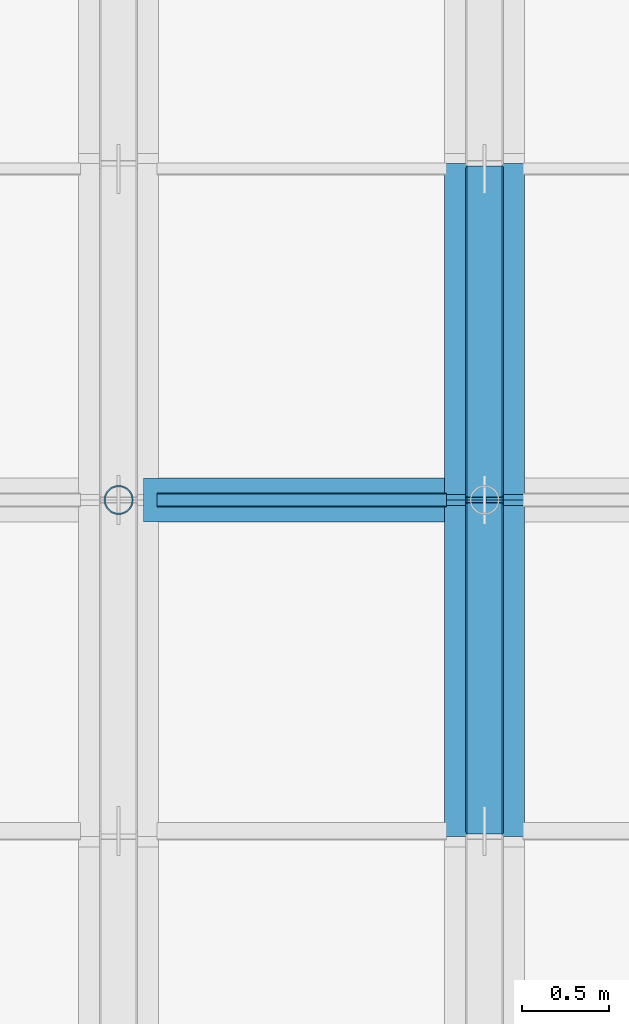
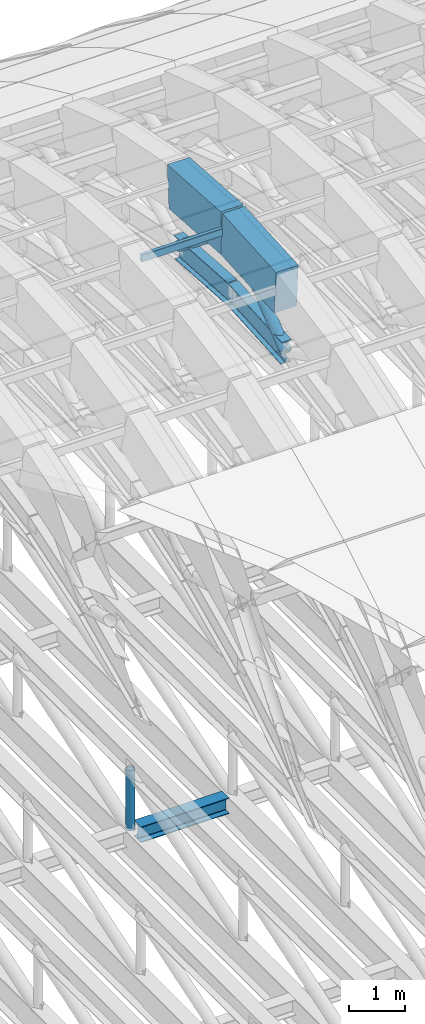
# One storey, part 22 of 67: 5 beams, 4 members.
"""IFC4 building model written with IfcOpenShell, lengths in metres."""

from ifc_helpers import new_model, si_unit, direction, frame, origin, origin_2d, place, context, subcontext, project, spatial, rectangle, hollow_rectangle, hollow_circle, i_section, extrude, material, material_profile, profile_set, type_object, element, save


model = new_model("IFC4")

# Units and contexts
model_context = context("Model", 3, precision=1e-05, world=origin(), true_north=direction((0.0, 1.0)))
body_context = subcontext(model_context, "Body", "Model", "MODEL_VIEW")
ifc_project = project(units=[si_unit("LENGTHUNIT", "METRE"), si_unit("AREAUNIT", "SQUARE_METRE"), si_unit("VOLUMEUNIT", "CUBIC_METRE"), si_unit("PLANEANGLEUNIT", "RADIAN"), si_unit("MASSUNIT", "GRAM", prefix="KILO")], contexts=[model_context])

# Site, building, storey
site_placement = place(None, origin())
site = spatial("IfcSite", under=ifc_project, at=site_placement, CompositionType="ELEMENT")
building_placement = place(site_placement, origin())
building = spatial("IfcBuilding", under=site, at=building_placement, Name="Shengluoqiao Park Theatre", CompositionType="ELEMENT")
storey_placement = place(building_placement, frame((0.0, 0.0, 28.60009765625)))
storey = spatial("IfcBuildingStorey", under=building, at=storey_placement, Name="Roof", CompositionType="ELEMENT", Elevation=28.60009765625)

# Beams
ifc_material_1 = material(Name="Concrete C50", Category="concrete")
ifc_material_profile_1 = material_profile(ifc_material_1, rectangle(XDim=0.4599609375, YDim=0.919921875, at=origin_2d()), Name="RC ARCH 460x920")
ifc_profile_set_1 = profile_set([ifc_material_profile_1], Name="Concrete C50")
beam_type_1 = type_object("IfcBeamType", Name="STR-BM-AR-4609", PredefinedType="BEAM", material=ifc_profile_set_1)
for number, where, z_axis, x_axis, name in (
    (1, (71.699951171875, 93.10009765625, 2.453857421875), (0.0, 0.997808922354, 0.066161578506), (-1.0, 0.0, 0.0), "Barrel-Shell Arch Rib R14-S10"),
    (2, (71.699951171875, 95.0, 2.579833984375), (0.0, 0.997808922354, -0.066161578506), (-1.0, 0.0, 0.0), "Barrel-Shell Arch Rib R14-S11"),
):
    element("IfcBeam", number, at=place(storey_placement, frame(where, z_axis=z_axis, x_axis=x_axis)), inside=storey, type_object=beam_type_1, Name=name, PredefinedType="BEAM", context=body_context, shape_type="SweptSolid", body=[
        extrude(rectangle(XDim=0.4599609375, YDim=0.919921875, at=origin_2d()), origin(), (0.0, 0.0, 1.0), 1.904052734375),
    ])
ifc_material_2 = material(Name="Steel Q355", Category="steel")
ifc_material_profile_2 = material_profile(ifc_material_2, i_section(OverallWidth=0.25, OverallDepth=0.340087890625, WebThickness=0.009033203125, FlangeThickness=0.013916015625, FilletRadius=0.01611328125, at=origin_2d()), Name="HM 340x250x9x14")
ifc_profile_set_2 = profile_set([ifc_material_profile_2], Name="Steel Q355")
beam_type_2 = type_object("IfcBeamType", Name="STR-BM-G-HM340", PredefinedType="BEAM", material=ifc_profile_set_2)
beam_placement = place(storey_placement, frame((69.743896484375, 95.0, -9.77001953125), z_axis=(1.0, 0.0, 0.0), x_axis=(0.0, 1.0, 0.0)))
element("IfcBeam", 3, at=beam_placement, inside=storey, type_object=beam_type_2, Name="Auditorium Overhead Catwalk Girder R13-3", PredefinedType="BEAM", context=body_context, shape_type="SweptSolid", body=[
    extrude(i_section(OverallWidth=0.25, OverallDepth=0.340087890625, WebThickness=0.009033203125, FlangeThickness=0.013916015625, FilletRadius=0.01611328125, at=origin_2d()), origin(), (0.0, 0.0, 1.0), 1.81201171875),
])
ifc_material_profile_3 = material_profile(ifc_material_2, i_section(OverallWidth=0.199951171875, OverallDepth=0.5, WebThickness=0.010009765625, FlangeThickness=0.01611328125, FilletRadius=0.01806640625, at=origin_2d()), Name="HN 500x200x10x16")
ifc_profile_set_3 = profile_set([ifc_material_profile_3], Name="Steel Q355")
beam_type_3 = type_object("IfcBeamType", Name="STR-BM-J-HN500", PredefinedType="JOIST", material=ifc_profile_set_3)
for number, where, z_axis, x_axis, name in (
    (4, (71.699951171875, 93.10009765625, 1.093994140625), (0.0, 0.997808922354, 0.066161578506), (-1.0, 0.0, 0.0), "Barrel-Shell Lower Arch Chord R14-S10"),
    (5, (71.699951171875, 95.0, 1.219970703125), (0.0, 0.997808922354, -0.066161578506), (-1.0, 0.0, 0.0), "Barrel-Shell Lower Arch Chord R14-S11"),
):
    element("IfcBeam", number, at=place(storey_placement, frame(where, z_axis=z_axis, x_axis=x_axis)), inside=storey, type_object=beam_type_3, Name=name, PredefinedType="JOIST", context=body_context, shape_type="SweptSolid", body=[
        extrude(i_section(OverallWidth=0.199951171875, OverallDepth=0.5, WebThickness=0.010009765625, FlangeThickness=0.01611328125, FilletRadius=0.01806640625, at=origin_2d()), origin(), (0.0, 0.0, 1.0), 1.904052734375),
    ])

# Members
ifc_material_profile_4 = material_profile(ifc_material_2, hollow_circle(Radius=0.109619140625, WallThickness=0.010009765625, at=origin_2d()), Name="CHS 219x10")
ifc_profile_set_4 = profile_set([ifc_material_profile_4], Name="Steel Q355")
member_type_1 = type_object("IfcMemberType", Name="STR-MEM-BRC-219", PredefinedType="BRACE", material=ifc_profile_set_4)
for number, where, z_axis, x_axis, name in (
    (6, (71.699951171875, 93.10009765625, 1.093994140625), (0.0, 0.787714283449, 0.616040751615), (-1.0, 0.0, 0.0), "Barrel-Shell Arch Truss Web 0270"),
    (7, (71.699951171875, 95.0, 2.579833984375), (0.0, 0.787714283449, -0.616040751615), (-1.0, 0.0, 0.0), "Barrel-Shell Arch Truss Web 0271"),
):
    element("IfcMember", number, at=place(storey_placement, frame(where, z_axis=z_axis, x_axis=x_axis)), inside=storey, type_object=member_type_1, Name=name, PredefinedType="BRACE", context=body_context, shape_type="SweptSolid", body=[
        extrude(hollow_circle(Radius=0.109619140625, WallThickness=0.010009765625, at=origin_2d()), origin(), (0.0, 0.0, 1.0), 2.411865234375),
    ])
ifc_material_profile_5 = material_profile(ifc_material_2, hollow_rectangle(XDim=0.080078125, YDim=0.159912109375, WallThickness=0.006103515625, InnerFilletRadius=0.006103515625, OuterFilletRadius=0.011962890625, at=origin_2d()), Name="RHS 160x80x6")
ifc_profile_set_5 = profile_set([ifc_material_profile_5], Name="Steel Q355")
member_type_2 = type_object("IfcMemberType", Name="STR-MEM-PU-R160", PredefinedType="PURLIN", material=ifc_profile_set_5)
member_1_placement = place(storey_placement, frame((69.820068359375, 95.0, 2.639892578125), z_axis=(1.0, 0.0, 0.0), x_axis=(0.0, 1.0, 0.0)))
element("IfcMember", 8, at=member_1_placement, inside=storey, type_object=member_type_2, Name="Shell Longitudinal Purlin 0238", PredefinedType="PURLIN", context=body_context, shape_type="SweptSolid", body=[
    extrude(hollow_rectangle(XDim=0.080078125, YDim=0.159912109375, WallThickness=0.006103515625, InnerFilletRadius=0.006103515625, OuterFilletRadius=0.011962890625, at=origin_2d()), origin(), (0.0, 0.0, 1.0), 1.659912109375),
])
ifc_material_profile_6 = material_profile(ifc_material_2, hollow_circle(Radius=0.083984375, WallThickness=0.008056640625, at=origin_2d()), Name="CHS 168x8")
ifc_profile_set_6 = profile_set([ifc_material_profile_6], Name="Steel Q355")
member_type_3 = type_object("IfcMemberType", Name="STR-MEM-STC-168", PredefinedType="STRUT", material=ifc_profile_set_6)
member_2_placement = place(storey_placement, frame((69.60009765625, 95.0, -9.650146484375), z_axis=(0.0, 0.0, 1.0), x_axis=(1.0, 0.0, 0.0)))
element("IfcMember", 9, at=member_2_placement, inside=storey, type_object=member_type_3, Name="Acoustic Tie Truss Strut 0056", PredefinedType="STRUT", context=body_context, shape_type="SweptSolid", body=[
    extrude(hollow_circle(Radius=0.083984375, WallThickness=0.008056640625, at=origin_2d()), origin(), (0.0, 0.0, 1.0), 1.300048828125),
])

save(model, "model.ifc")
